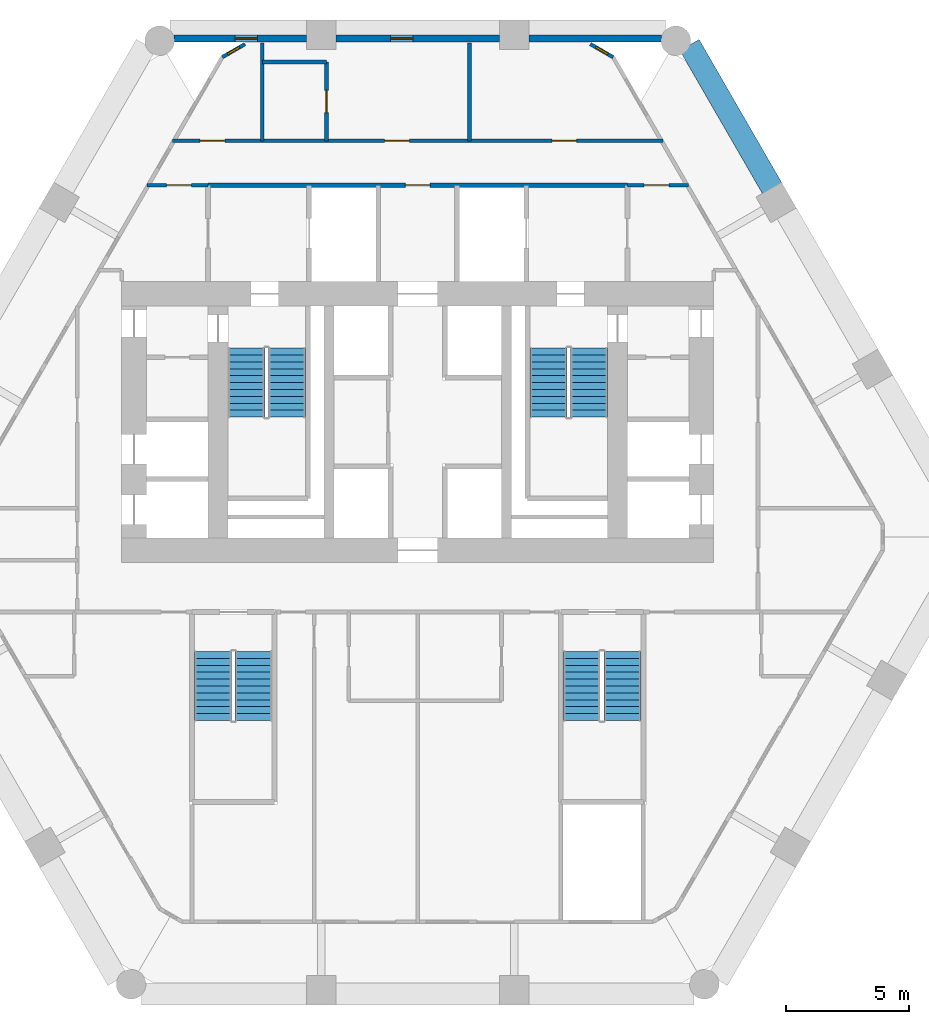
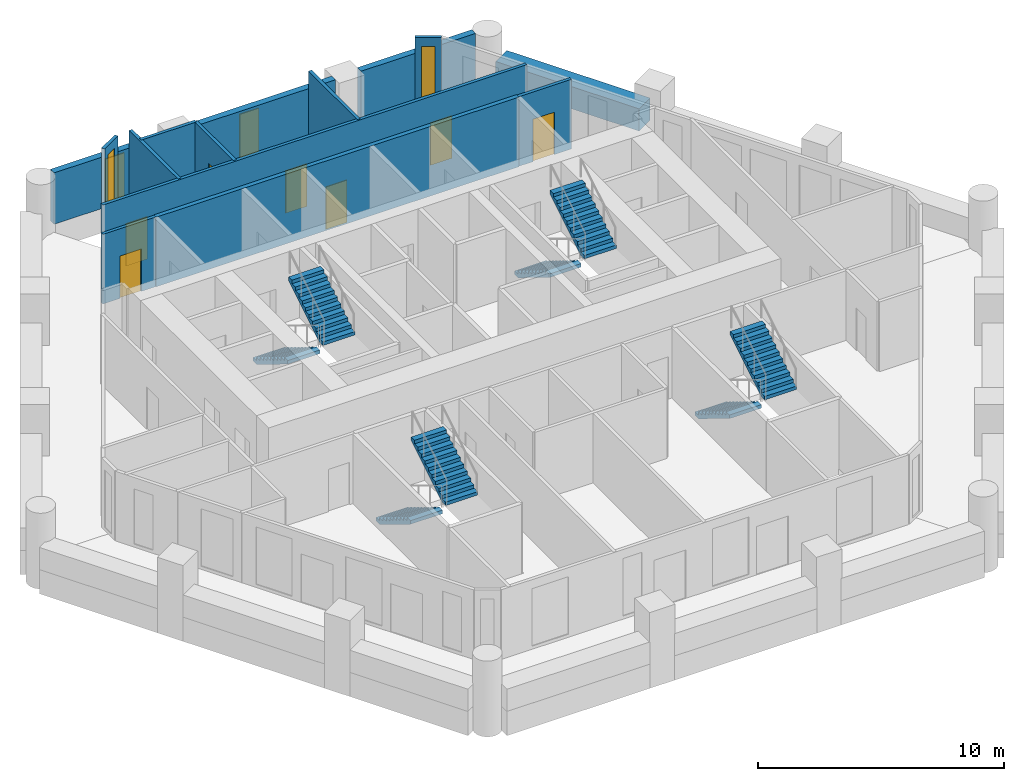
# One storey, part 6 of 7: 14 walls, 8 stair flights, 7 doors, 4 windows, 11 openings, 4 elements without a shape of their own.
"""IFC4 building model written with IfcOpenShell, lengths in metres."""

from ifc_helpers import new_model, si_unit, direction, frame, frame_2d, origin, place, context, subcontext, project, spatial, polyline, rectangle, outline, extrude, material, layer, layer_set, type_object, element, fill, aggregate, save


model = new_model("IFC4")

# Units and contexts
model_context = context("Model", 3, precision=1e-05, world=origin(), true_north=direction((0.0, 1.0)))
body_context = subcontext(model_context, "Body", "Model", "MODEL_VIEW")
ifc_project = project(units=[si_unit("LENGTHUNIT", "METRE"), si_unit("AREAUNIT", "SQUARE_METRE"), si_unit("VOLUMEUNIT", "CUBIC_METRE"), si_unit("PLANEANGLEUNIT", "RADIAN"), si_unit("MASSUNIT", "GRAM", prefix="KILO")], contexts=[model_context])

# Site, building, storey
site_placement = place(None, origin())
site = spatial("IfcSite", under=ifc_project, at=site_placement, CompositionType="ELEMENT")
building_placement = place(site_placement, origin())
building = spatial("IfcBuilding", under=site, at=building_placement, Name="Ostrander Bayou Hotel Tower", CompositionType="ELEMENT")
storey_placement = place(building_placement, frame((0.0, 0.0, 123.5)))
storey = spatial("IfcBuildingStorey", under=building, at=storey_placement, Name="L30", CompositionType="ELEMENT", Elevation=123.5)

# Wall, opening, window
ifc_material_1 = material(Name="Aluminium framed insulated wall", Category="aluminium")
ifc_layer_1 = layer(ifc_material_1, 0.14990234375)
ifc_layer_set_1 = layer_set([ifc_layer_1], Name="GW1 glass-line wall 150 mm")
wall_type_1 = type_object("IfcWallType", Name="GW1 glass-line wall 150 mm", PredefinedType="SOLIDWALL", material=ifc_layer_set_1)
wall_1_placement = place(storey_placement, frame((-7.002685546875, 19.324951171875, 0.0), z_axis=(0.0, 0.0, 1.0), x_axis=(-0.866048165231, -0.499960573946, 0.0)))
wall_1 = element("IfcWall", 1, at=wall_1_placement, inside=storey, type_object=wall_type_1, Name="GW1 L30 corner 1", PredefinedType="SOLIDWALL", context=body_context, shape_type="SweptSolid", body=[
    extrude(rectangle(XDim=1.06494140625, YDim=0.14990234375, at=frame_2d((0.532470703125, 0.0))), origin(), (0.0, 0.0, 1.0), 3.449951171875),
])
opening_1_placement = place(wall_1_placement, frame((0.257568359375, 0.0, 0.14990234375)))
opening_1 = element("IfcOpeningElement", 2, at=opening_1_placement, cuts=wall_1, Name="Opening W19", PredefinedType="OPENING", context=body_context, shape_type="SweptSolid", body=[
    extrude(rectangle(XDim=0.550048828125, YDim=2.85009765625, at=frame_2d((0.27490234375, 1.425048828125))), frame((0.0, 0.074951171875, 0.0), z_axis=(0.0, -1.0, 0.0), x_axis=(1.0, 0.0, 0.0)), (0.0, 0.0, 1.0), 0.14990234375),
])
ifc_material_2 = material(Name="Aluminium and clear glass", Category="aluminium")
window_type_1 = type_object("IfcWindowType", Name="W19 corner window 550 mm", PartitioningType="SINGLE_PANEL", PredefinedType="WINDOW", material=ifc_material_2)
window_1_placement = place(opening_1_placement, origin())
window_1 = element("IfcWindow", 3, at=window_1_placement, inside=storey, type_object=window_type_1, Name="W19 L30 corner 1", OverallHeight=2.85009765625, OverallWidth=0.550048828125, PartitioningType="SINGLE_PANEL", PredefinedType="WINDOW", context=body_context, shape_type="SweptSolid", body=[
    extrude(rectangle(XDim=0.550048828125, YDim=2.85009765625, at=frame_2d((0.27490234375, 1.425048828125))), frame((0.0, 0.030029296875, 0.0), z_axis=(0.0, -1.0, 0.0), x_axis=(1.0, 0.0, 0.0)), (0.0, 0.0, 1.0), 0.06005859375),
])
fill(opening_1, window_1)

wall_2_placement = place(storey_placement, frame((7.925048828125, 18.79248046875, 0.0), z_axis=(0.0, 0.0, 1.0), x_axis=(-0.866048165231, 0.499960573946, 0.0)))
wall_2 = element("IfcWall", 4, at=wall_2_placement, inside=storey, type_object=wall_type_1, Name="GW1 L30 corner 6", PredefinedType="SOLIDWALL", context=body_context, shape_type="SweptSolid", body=[
    extrude(rectangle(XDim=1.06494140625, YDim=0.14990234375, at=frame_2d((0.532470703125, 0.0))), origin(), (0.0, 0.0, 1.0), 3.449951171875),
])
opening_2_placement = place(wall_2_placement, frame((0.257568359375, 0.0, 0.14990234375)))
opening_2 = element("IfcOpeningElement", 5, at=opening_2_placement, cuts=wall_2, Name="Opening W19", PredefinedType="OPENING", context=body_context, shape_type="SweptSolid", body=[
    extrude(rectangle(XDim=0.550048828125, YDim=2.85009765625, at=frame_2d((0.27490234375, 1.425048828125))), frame((0.0, 0.074951171875, 0.0), z_axis=(0.0, -1.0, 0.0), x_axis=(1.0, 0.0, 0.0)), (0.0, 0.0, 1.0), 0.14990234375),
])
window_2_placement = place(opening_2_placement, origin())
window_2 = element("IfcWindow", 6, at=window_2_placement, inside=storey, type_object=window_type_1, Name="W19 L30 corner 6", OverallHeight=2.85009765625, OverallWidth=0.550048828125, PartitioningType="SINGLE_PANEL", PredefinedType="WINDOW", context=body_context, shape_type="SweptSolid", body=[
    extrude(rectangle(XDim=0.550048828125, YDim=2.85009765625, at=frame_2d((0.27490234375, 1.425048828125))), frame((0.0, 0.030029296875, 0.0), z_axis=(0.0, -1.0, 0.0), x_axis=(1.0, 0.0, 0.0)), (0.0, 0.0, 1.0), 0.06005859375),
])
fill(opening_2, window_2)

# Wall
ifc_material_3 = material(Name="Reconstituted stone on masonry backing", Category="masonry")
ifc_layer_2 = layer(ifc_material_3, 0.300048828125)
ifc_layer_set_2 = layer_set([ifc_layer_2], Name="NW1 north stone wall 300 mm")
wall_type_2 = type_object("IfcWallType", Name="NW1 north stone wall 300 mm", PredefinedType="SOLIDWALL", material=ifc_layer_set_2)
wall_3_placement = place(storey_placement, frame((9.875, 19.550048828125, 0.0), z_axis=(0.0, 0.0, 1.0), x_axis=(-1.0, 0.0, 0.0)))
element("IfcWall", 7, at=wall_3_placement, inside=storey, type_object=wall_type_2, Name="NW1 L30 N-1", PredefinedType="SOLIDWALL", context=body_context, shape_type="SweptSolid", body=[
    extrude(rectangle(XDim=5.368408203125, YDim=0.300048828125, at=frame_2d((2.68408203125, 0.0))), origin(), (0.0, 0.0, 1.0), 2.550048828125),
])

# Wall, opening, window
wall_4_placement = place(storey_placement, frame((3.306640625, 19.550048828125, 0.0), z_axis=(0.0, 0.0, 1.0), x_axis=(-1.0, 0.0, 0.0)))
wall_4 = element("IfcWall", 8, at=wall_4_placement, inside=storey, type_object=wall_type_2, Name="NW1 L30 N-2", PredefinedType="SOLIDWALL", context=body_context, shape_type="SweptSolid", body=[
    extrude(rectangle(XDim=6.61328125, YDim=0.300048828125, at=frame_2d((3.306640625, 0.0))), origin(), (0.0, 0.0, 1.0), 2.550048828125),
])
opening_3_placement = place(wall_4_placement, frame((3.506591796875, 0.0, 0.14990234375)))
opening_3 = element("IfcOpeningElement", 9, at=opening_3_placement, cuts=wall_4, Name="Opening W16", PredefinedType="OPENING", context=body_context, shape_type="SweptSolid", body=[
    extrude(rectangle(XDim=0.89990234375, YDim=2.14990234375, at=frame_2d((0.449951171875, 1.074951171875))), frame((0.0, 0.14990234375, 0.0), z_axis=(0.0, -1.0, 0.0), x_axis=(1.0, 0.0, 0.0)), (0.0, 0.0, 1.0), 0.300048828125),
])
ifc_material_4 = material(Name="Aluminium and clear glass", Category="aluminium")
window_type_2 = type_object("IfcWindowType", Name="W16 window 900 mm, zone 2", PartitioningType="SINGLE_PANEL", PredefinedType="WINDOW", material=ifc_material_4)
window_3_placement = place(opening_3_placement, origin())
window_3 = element("IfcWindow", 10, at=window_3_placement, inside=storey, type_object=window_type_2, Name="W16 L30 north N-2", OverallHeight=2.14990234375, OverallWidth=0.89990234375, PartitioningType="SINGLE_PANEL", PredefinedType="WINDOW", context=body_context, shape_type="SweptSolid", body=[
    extrude(rectangle(XDim=0.89990234375, YDim=2.14990234375, at=frame_2d((0.449951171875, 1.074951171875))), frame((0.0, 0.030029296875, 0.0), z_axis=(0.0, -1.0, 0.0), x_axis=(1.0, 0.0, 0.0)), (0.0, 0.0, 1.0), 0.06005859375),
])
fill(opening_3, window_3)

wall_5_placement = place(storey_placement, frame((-4.506591796875, 19.550048828125, 0.0), z_axis=(0.0, 0.0, 1.0), x_axis=(-1.0, 0.0, 0.0)))
wall_5 = element("IfcWall", 11, at=wall_5_placement, inside=storey, type_object=wall_type_2, Name="NW1 L30 N-3", PredefinedType="SOLIDWALL", context=body_context, shape_type="SweptSolid", body=[
    extrude(rectangle(XDim=5.368408203125, YDim=0.300048828125, at=frame_2d((2.68408203125, 0.0))), origin(), (0.0, 0.0, 1.0), 2.550048828125),
])
opening_4_placement = place(wall_5_placement, frame((1.993408203125, 0.0, 0.14990234375)))
opening_4 = element("IfcOpeningElement", 12, at=opening_4_placement, cuts=wall_5, Name="Opening W16", PredefinedType="OPENING", context=body_context, shape_type="SweptSolid", body=[
    extrude(rectangle(XDim=0.89990234375, YDim=2.14990234375, at=frame_2d((0.449951171875, 1.074951171875))), frame((0.0, 0.14990234375, 0.0), z_axis=(0.0, -1.0, 0.0), x_axis=(1.0, 0.0, 0.0)), (0.0, 0.0, 1.0), 0.300048828125),
])
window_4_placement = place(opening_4_placement, origin())
window_4 = element("IfcWindow", 13, at=window_4_placement, inside=storey, type_object=window_type_2, Name="W16 L30 north N-3", OverallHeight=2.14990234375, OverallWidth=0.89990234375, PartitioningType="SINGLE_PANEL", PredefinedType="WINDOW", context=body_context, shape_type="SweptSolid", body=[
    extrude(rectangle(XDim=0.89990234375, YDim=2.14990234375, at=frame_2d((0.449951171875, 1.074951171875))), frame((0.0, 0.030029296875, 0.0), z_axis=(0.0, -1.0, 0.0), x_axis=(1.0, 0.0, 0.0)), (0.0, 0.0, 1.0), 0.06005859375),
])
fill(opening_4, window_4)

# Wall
ifc_material_5 = material(Name="Concrete f'c 40 MPa", Category="concrete")
ifc_layer_3 = layer(ifc_material_5, 0.89990234375)
ifc_layer_set_3 = layer_set([ifc_layer_3], Name="PA1 stone-faced parapet 900 mm")
wall_type_3 = type_object("IfcWallType", Name="PA1 stone-faced parapet 900 mm", PredefinedType="PARAPET", material=ifc_layer_set_3)
wall_6_placement = place(storey_placement, frame((14.3759765625, 13.46923828125, 0.0), z_axis=(0.0, 0.0, 1.0), x_axis=(-0.500012951941, 0.866017925849, 0.0)))
element("IfcWall", 14, at=wall_6_placement, inside=storey, type_object=wall_type_3, Name="PA1 L30 NE-3", PredefinedType="PARAPET", context=body_context, shape_type="SweptSolid", body=[
    extrude(rectangle(XDim=6.717041015625, YDim=0.89990234375, at=frame_2d((3.3583984375, 0.0))), origin(), (0.0, 0.0, 1.0), 1.10009765625),
])

# Wall, opening, door
ifc_material_6 = material(Name="Masonry block", Category="masonry")
ifc_layer_4 = layer(ifc_material_6, 0.199951171875)
ifc_layer_set_4 = layer_set([ifc_layer_4], Name="PT5 stair enclosure wall 200 mm masonry, 2 hour")
wall_type_4 = type_object("IfcWallType", Name="PT5 stair enclosure wall 200 mm masonry, 2 hour", PredefinedType="PARTITIONING", material=ifc_layer_set_4)
wall_7_placement = place(storey_placement, frame((-8.5, 13.60009765625, 0.0), z_axis=(0.0, 0.0, 1.0), x_axis=(1.0, 0.0, 0.0)))
wall_7 = element("IfcWall", 15, at=wall_7_placement, inside=storey, type_object=wall_type_4, Name="cs:L30:025", PredefinedType="PARTITIONING", context=body_context, shape_type="SweptSolid", body=[
    extrude(rectangle(XDim=17.0, YDim=0.199951171875, at=frame_2d((8.5, 0.0))), origin(), (0.0, 0.0, 1.0), 3.449951171875),
])
opening_5_placement = place(wall_7_placement, frame((8.0, 0.0, 0.0)))
opening_5 = element("IfcOpeningElement", 16, at=opening_5_placement, cuts=wall_7, Name="Opening T28-013", PredefinedType="OPENING", context=body_context, shape_type="SweptSolid", body=[
    extrude(rectangle(XDim=1.0, YDim=2.10009765625, at=frame_2d((0.5, 1.050048828125))), frame((0.0, 0.10009765625, 0.0), z_axis=(0.0, -1.0, 0.0), x_axis=(1.0, 0.0, 0.0)), (0.0, 0.0, 1.0), 0.199951171875),
])
ifc_material_7 = material(Name="Timber door leaf", Category="wood")
door_type_1 = type_object("IfcDoorType", Name="D9 service door 1000 x 2100 mm, 30 minute", OperationType="SINGLE_SWING_LEFT", PredefinedType="DOOR", material=ifc_material_7)
door_1_placement = place(opening_5_placement, origin())
door_1 = element("IfcDoor", 17, at=door_1_placement, inside=storey, type_object=door_type_1, Name="dr:L30:013", OperationType="SINGLE_SWING_LEFT", OverallHeight=2.10009765625, OverallWidth=1.0, PredefinedType="DOOR", context=body_context, shape_type="SweptSolid", body=[
    extrude(rectangle(XDim=1.0, YDim=2.10009765625, at=frame_2d((0.5, 1.050048828125))), frame((0.0, 0.02490234375, 0.0), z_axis=(0.0, -1.0, 0.0), x_axis=(1.0, 0.0, 0.0)), (0.0, 0.0, 1.0), 0.050048828125),
])
fill(opening_5, door_1)

ifc_material_8 = material(Name="Gypsum board partition", Category="finish")
ifc_layer_5 = layer(ifc_material_8, 0.14990234375)
ifc_layer_set_5 = layer_set([ifc_layer_5], Name="PT8 service band wall 150 mm, 1 hour")
wall_type_5 = type_object("IfcWallType", Name="PT8 service band wall 150 mm, 1 hour", PredefinedType="PARTITIONING", material=ifc_layer_set_5)
wall_8_placement = place(storey_placement, frame((-10.97509765625, 13.60009765625, 0.0), z_axis=(0.0, 0.0, 1.0), x_axis=(1.0, 0.0, 0.0)))
wall_8 = element("IfcWall", 18, at=wall_8_placement, inside=storey, type_object=wall_type_5, Name="gw:L30:012", PredefinedType="PARTITIONING", context=body_context, shape_type="SweptSolid", body=[
    extrude(rectangle(XDim=2.465087890625, YDim=0.14990234375, at=frame_2d((1.232421875, 0.0))), origin(), (0.0, 0.0, 1.0), 3.449951171875),
])
opening_6_placement = place(wall_8_placement, frame((0.794921875, 0.0, 0.0)))
opening_6 = element("IfcOpeningElement", 19, at=opening_6_placement, cuts=wall_8, Name="Opening T28-418", PredefinedType="OPENING", context=body_context, shape_type="SweptSolid", body=[
    extrude(rectangle(XDim=1.0, YDim=2.10009765625, at=frame_2d((0.5, 1.050048828125))), frame((0.0, 0.074951171875, 0.0), z_axis=(0.0, -1.0, 0.0), x_axis=(1.0, 0.0, 0.0)), (0.0, 0.0, 1.0), 0.14990234375),
])
door_2_placement = place(opening_6_placement, origin())
door_2 = element("IfcDoor", 20, at=door_2_placement, inside=storey, type_object=door_type_1, Name="dr:L30:418", OperationType="SINGLE_SWING_RIGHT", OverallHeight=2.10009765625, OverallWidth=1.0, PredefinedType="DOOR", context=body_context, shape_type="SweptSolid", body=[
    extrude(rectangle(XDim=1.0, YDim=2.10009765625, at=frame_2d((0.5, 1.050048828125))), frame((0.0, 0.02490234375, 0.0), z_axis=(0.0, -1.0, 0.0), x_axis=(1.0, 0.0, 0.0)), (0.0, 0.0, 1.0), 0.050048828125),
])
fill(opening_6, door_2)

wall_9_placement = place(storey_placement, frame((8.510009765625, 13.60009765625, 0.0), z_axis=(0.0, 0.0, 1.0), x_axis=(1.0, 0.0, 0.0)))
wall_9 = element("IfcWall", 21, at=wall_9_placement, inside=storey, type_object=wall_type_5, Name="gw:L30:013", PredefinedType="PARTITIONING", context=body_context, shape_type="SweptSolid", body=[
    extrude(rectangle(XDim=2.465087890625, YDim=0.14990234375, at=frame_2d((1.232421875, 0.0))), origin(), (0.0, 0.0, 1.0), 3.449951171875),
])
opening_7_placement = place(wall_9_placement, frame((0.669921875, 0.0, 0.0)))
opening_7 = element("IfcOpeningElement", 22, at=opening_7_placement, cuts=wall_9, Name="Opening T28-419", PredefinedType="OPENING", context=body_context, shape_type="SweptSolid", body=[
    extrude(rectangle(XDim=1.0, YDim=2.10009765625, at=frame_2d((0.5, 1.050048828125))), frame((0.0, 0.074951171875, 0.0), z_axis=(0.0, -1.0, 0.0), x_axis=(1.0, 0.0, 0.0)), (0.0, 0.0, 1.0), 0.14990234375),
])
door_3_placement = place(opening_7_placement, origin())
door_3 = element("IfcDoor", 23, at=door_3_placement, inside=storey, type_object=door_type_1, Name="dr:L30:419", OperationType="SINGLE_SWING_LEFT", OverallHeight=2.10009765625, OverallWidth=1.0, PredefinedType="DOOR", context=body_context, shape_type="SweptSolid", body=[
    extrude(rectangle(XDim=1.0, YDim=2.10009765625, at=frame_2d((0.5, 1.050048828125))), frame((0.0, 0.02490234375, 0.0), z_axis=(0.0, -1.0, 0.0), x_axis=(1.0, 0.0, 0.0)), (0.0, 0.0, 1.0), 0.050048828125),
])
fill(opening_7, door_3)

# Wall, openings, doors
wall_10_placement = place(storey_placement, frame((-9.93603515625, 15.39990234375, 0.0), z_axis=(0.0, 0.0, 1.0), x_axis=(1.0, 0.0, 0.0)))
wall_10 = element("IfcWall", 24, at=wall_10_placement, inside=storey, type_object=wall_type_5, Name="gw:L30:014", PredefinedType="PARTITIONING", context=body_context, shape_type="SweptSolid", body=[
    extrude(rectangle(XDim=19.8720703125, YDim=0.14990234375, at=frame_2d((9.93603515625, 0.0))), origin(), (0.0, 0.0, 1.0), 3.449951171875),
])
opening_8_placement = place(wall_10_placement, frame((1.117919921875, 0.0, 0.0)))
opening_8 = element("IfcOpeningElement", 25, at=opening_8_placement, cuts=wall_10, Name="Opening T28-414", PredefinedType="OPENING", context=body_context, shape_type="SweptSolid", body=[
    extrude(rectangle(XDim=1.0, YDim=2.10009765625, at=frame_2d((0.5, 1.050048828125))), frame((0.0, 0.074951171875, 0.0), z_axis=(0.0, -1.0, 0.0), x_axis=(1.0, 0.0, 0.0)), (0.0, 0.0, 1.0), 0.14990234375),
])
opening_9_placement = place(wall_10_placement, frame((8.595947265625, 0.0, 0.0)))
opening_9 = element("IfcOpeningElement", 26, at=opening_9_placement, cuts=wall_10, Name="Opening T28-415", PredefinedType="OPENING", context=body_context, shape_type="SweptSolid", body=[
    extrude(rectangle(XDim=1.0, YDim=2.10009765625, at=frame_2d((0.5, 1.050048828125))), frame((0.0, 0.074951171875, 0.0), z_axis=(0.0, -1.0, 0.0), x_axis=(1.0, 0.0, 0.0)), (0.0, 0.0, 1.0), 0.14990234375),
])
opening_10_placement = place(wall_10_placement, frame((15.383056640625, 0.0, 0.0)))
opening_10 = element("IfcOpeningElement", 27, at=opening_10_placement, cuts=wall_10, Name="Opening T28-417", PredefinedType="OPENING", context=body_context, shape_type="SweptSolid", body=[
    extrude(rectangle(XDim=1.0, YDim=2.10009765625, at=frame_2d((0.5, 1.050048828125))), frame((0.0, 0.074951171875, 0.0), z_axis=(0.0, -1.0, 0.0), x_axis=(1.0, 0.0, 0.0)), (0.0, 0.0, 1.0), 0.14990234375),
])
ifc_material_9 = material(Name="Timber door leaf", Category="wood")
door_type_2 = type_object("IfcDoorType", Name="D15 room door 1000 x 2100 mm", OperationType="SINGLE_SWING_LEFT", PredefinedType="DOOR", material=ifc_material_9)
door_4_placement = place(opening_8_placement, origin())
door_4 = element("IfcDoor", 28, at=door_4_placement, inside=storey, type_object=door_type_2, Name="dr:L30:414", OperationType="SINGLE_SWING_LEFT", OverallHeight=2.10009765625, OverallWidth=1.0, PredefinedType="DOOR", context=body_context, shape_type="SweptSolid", body=[
    extrude(rectangle(XDim=1.0, YDim=2.10009765625, at=frame_2d((0.5, 1.050048828125))), frame((0.0, 0.02490234375, 0.0), z_axis=(0.0, -1.0, 0.0), x_axis=(1.0, 0.0, 0.0)), (0.0, 0.0, 1.0), 0.050048828125),
])
fill(opening_8, door_4)
door_5_placement = place(opening_9_placement, origin())
door_5 = element("IfcDoor", 29, at=door_5_placement, inside=storey, type_object=door_type_2, Name="dr:L30:415", OperationType="SINGLE_SWING_RIGHT", OverallHeight=2.10009765625, OverallWidth=1.0, PredefinedType="DOOR", context=body_context, shape_type="SweptSolid", body=[
    extrude(rectangle(XDim=1.0, YDim=2.10009765625, at=frame_2d((0.5, 1.050048828125))), frame((0.0, 0.02490234375, 0.0), z_axis=(0.0, -1.0, 0.0), x_axis=(1.0, 0.0, 0.0)), (0.0, 0.0, 1.0), 0.050048828125),
])
fill(opening_9, door_5)
door_6_placement = place(opening_10_placement, origin())
door_6 = element("IfcDoor", 30, at=door_6_placement, inside=storey, type_object=door_type_1, Name="dr:L30:417", OperationType="SINGLE_SWING_LEFT", OverallHeight=2.10009765625, OverallWidth=1.0, PredefinedType="DOOR", context=body_context, shape_type="SweptSolid", body=[
    extrude(rectangle(XDim=1.0, YDim=2.10009765625, at=frame_2d((0.5, 1.050048828125))), frame((0.0, 0.02490234375, 0.0), z_axis=(0.0, -1.0, 0.0), x_axis=(1.0, 0.0, 0.0)), (0.0, 0.0, 1.0), 0.050048828125),
])
fill(opening_10, door_6)

# Walls
wall_11_placement = place(storey_placement, frame((-6.300048828125, 18.60009765625, 0.0), z_axis=(0.0, 0.0, 1.0), x_axis=(1.0, 0.0, 0.0)))
element("IfcWall", 31, at=wall_11_placement, inside=storey, type_object=wall_type_5, Name="gw:L30:015", PredefinedType="PARTITIONING", context=body_context, shape_type="SweptSolid", body=[
    extrude(rectangle(XDim=2.60009765625, YDim=0.14990234375, at=frame_2d((1.300048828125, 0.0))), origin(), (0.0, 0.0, 1.0), 3.449951171875),
])
wall_12_placement = place(storey_placement, frame((2.10009765625, 15.39990234375, 0.0), z_axis=(0.0, 0.0, 1.0), x_axis=(0.0, 1.0, 0.0)))
element("IfcWall", 32, at=wall_12_placement, inside=storey, type_object=wall_type_5, Name="gw:L30:022", PredefinedType="PARTITIONING", context=body_context, shape_type="SweptSolid", body=[
    extrude(rectangle(XDim=3.97021484375, YDim=0.14990234375, at=frame_2d((1.985107421875, 0.0))), origin(), (0.0, 0.0, 1.0), 3.449951171875),
])

# Wall, opening, door
wall_13_placement = place(storey_placement, frame((-3.699951171875, 15.39990234375, 0.0), z_axis=(0.0, 0.0, 1.0), x_axis=(0.0, 1.0, 0.0)))
wall_13 = element("IfcWall", 33, at=wall_13_placement, inside=storey, type_object=wall_type_5, Name="gw:L30:025", PredefinedType="PARTITIONING", context=body_context, shape_type="SweptSolid", body=[
    extrude(rectangle(XDim=3.2001953125, YDim=0.14990234375, at=frame_2d((1.60009765625, 0.0))), origin(), (0.0, 0.0, 1.0), 3.449951171875),
])
opening_11_placement = place(wall_13_placement, frame((1.14990234375, 0.0, 0.0)))
opening_11 = element("IfcOpeningElement", 34, at=opening_11_placement, cuts=wall_13, Name="Opening T28-416", PredefinedType="OPENING", context=body_context, shape_type="SweptSolid", body=[
    extrude(rectangle(XDim=0.89990234375, YDim=2.10009765625, at=frame_2d((0.449951171875, 1.050048828125))), frame((0.0, 0.074951171875, 0.0), z_axis=(0.0, -1.0, 0.0), x_axis=(1.0, 0.0, 0.0)), (0.0, 0.0, 1.0), 0.14990234375),
])
ifc_material_10 = material(Name="Timber door leaf", Category="wood")
door_type_3 = type_object("IfcDoorType", Name="D8 room door 900 x 2100 mm", OperationType="SINGLE_SWING_LEFT", PredefinedType="DOOR", material=ifc_material_10)
door_7_placement = place(opening_11_placement, origin())
door_7 = element("IfcDoor", 35, at=door_7_placement, inside=storey, type_object=door_type_3, Name="dr:L30:416", OperationType="SINGLE_SWING_LEFT", OverallHeight=2.10009765625, OverallWidth=0.89990234375, PredefinedType="DOOR", context=body_context, shape_type="SweptSolid", body=[
    extrude(rectangle(XDim=0.89990234375, YDim=2.10009765625, at=frame_2d((0.449951171875, 1.050048828125))), frame((0.0, 0.02490234375, 0.0), z_axis=(0.0, -1.0, 0.0), x_axis=(1.0, 0.0, 0.0)), (0.0, 0.0, 1.0), 0.050048828125),
])
fill(opening_11, door_7)

# Wall
wall_14_placement = place(storey_placement, frame((-6.300048828125, 15.39990234375, 0.0), z_axis=(0.0, 0.0, 1.0), x_axis=(0.0, 1.0, 0.0)))
element("IfcWall", 36, at=wall_14_placement, inside=storey, type_object=wall_type_5, Name="gw:L30:027", PredefinedType="PARTITIONING", context=body_context, shape_type="SweptSolid", body=[
    extrude(rectangle(XDim=3.97021484375, YDim=0.14990234375, at=frame_2d((1.985107421875, 0.0))), origin(), (0.0, 0.0, 1.0), 3.449951171875),
])

# Stair, stair flights
ifc_material_11 = material(Name="Concrete f'c 45 MPa", Category="concrete")
stair_type = type_object("IfcStairType", Name="ST1 exit stair 1500 mm f'c 45 MPa", PredefinedType="HALF_TURN_STAIR", material=ifc_material_11)
stair_1_placement = place(storey_placement, origin())
stair_1 = element("IfcStair", 37, at=stair_1_placement, inside=storey, type_object=stair_type, Name="L30 exit stair A", PredefinedType="HALF_TURN_STAIR")
ifc_material_12 = material(Name="Concrete f'c 45 MPa", Category="concrete")
stair_flight_type = type_object("IfcStairFlightType", Name="SF1 stair flight 1500 mm f'c 45 MPa", PredefinedType="STRAIGHT", material=ifc_material_12)
stair_flight_1_placement = place(storey_placement, frame((-6.949951171875, 7.0, 0.0), z_axis=(0.0, 0.0, 1.0), x_axis=(0.0, -1.0, 0.0)))
stair_flight_1 = element("IfcStairFlight", 38, at=stair_flight_1_placement, type_object=stair_flight_type, Name="STA flight 1", NumberOfRisers=11, NumberOfTreads=10, PredefinedType="STRAIGHT", RiserHeight=0.170454545, TreadLength=0.28, context=body_context, shape_type="SweptSolid", body=[
    extrude(outline(polyline([(0.0, 0.0), (0.0, 0.17041015625), (0.280029296875, 0.17041015625), (0.280029296875, 0.3408203125), (0.56005859375, 0.3408203125), (0.56005859375, 0.511474609375), (0.840087890625, 0.511474609375), (0.840087890625, 0.681884765625), (1.1201171875, 0.681884765625), (1.1201171875, 0.852294921875), (1.39990234375, 0.852294921875), (1.39990234375, 1.022705078125), (1.679931640625, 1.022705078125), (1.679931640625, 1.193115234375), (1.9599609375, 1.193115234375), (1.9599609375, 1.363525390625), (2.239990234375, 1.363525390625), (2.239990234375, 1.5341796875), (2.52001953125, 1.5341796875), (2.52001953125, 1.70458984375), (2.800048828125, 1.70458984375), (2.800048828125, 1.875), (2.800048828125, 1.529052734375), (0.288330078125, 0.0), (0.0, 0.0)])), frame((0.0, 0.75, 0.0), z_axis=(0.0, -1.0, 0.0), x_axis=(1.0, 0.0, 0.0)), (0.0, 0.0, 1.0), 1.5),
])
stair_flight_2_placement = place(storey_placement, frame((-5.300048828125, 4.199951171875, 1.875), z_axis=(0.0, 0.0, 1.0), x_axis=(0.0, 1.0, 0.0)))
stair_flight_2 = element("IfcStairFlight", 39, at=stair_flight_2_placement, type_object=stair_flight_type, Name="STA flight 2", NumberOfRisers=11, NumberOfTreads=10, PredefinedType="STRAIGHT", RiserHeight=0.170454545, TreadLength=0.28, context=body_context, shape_type="SweptSolid", body=[
    extrude(outline(polyline([(0.0, 0.0), (0.0, 0.17041015625), (0.280029296875, 0.17041015625), (0.280029296875, 0.3408203125), (0.56005859375, 0.3408203125), (0.56005859375, 0.511474609375), (0.840087890625, 0.511474609375), (0.840087890625, 0.681884765625), (1.1201171875, 0.681884765625), (1.1201171875, 0.852294921875), (1.39990234375, 0.852294921875), (1.39990234375, 1.022705078125), (1.679931640625, 1.022705078125), (1.679931640625, 1.193115234375), (1.9599609375, 1.193115234375), (1.9599609375, 1.363525390625), (2.239990234375, 1.363525390625), (2.239990234375, 1.5341796875), (2.52001953125, 1.5341796875), (2.52001953125, 1.70458984375), (2.800048828125, 1.70458984375), (2.800048828125, 1.875), (2.800048828125, 1.529052734375), (0.288330078125, 0.0), (0.0, 0.0)])), frame((0.0, 0.75, 0.0), z_axis=(0.0, -1.0, 0.0), x_axis=(1.0, 0.0, 0.0)), (0.0, 0.0, 1.0), 1.5),
])
aggregate(stair_1, [stair_flight_1, stair_flight_2])

stair_2_placement = place(storey_placement, origin())
stair_2 = element("IfcStair", 40, at=stair_2_placement, inside=storey, type_object=stair_type, Name="L30 exit stair B", PredefinedType="HALF_TURN_STAIR")
stair_flight_3_placement = place(storey_placement, frame((5.300048828125, 7.0, 0.0), z_axis=(0.0, 0.0, 1.0), x_axis=(0.0, -1.0, 0.0)))
stair_flight_3 = element("IfcStairFlight", 41, at=stair_flight_3_placement, type_object=stair_flight_type, Name="STB flight 1", NumberOfRisers=11, NumberOfTreads=10, PredefinedType="STRAIGHT", RiserHeight=0.170454545, TreadLength=0.28, context=body_context, shape_type="SweptSolid", body=[
    extrude(outline(polyline([(0.0, 0.0), (0.0, 0.17041015625), (0.280029296875, 0.17041015625), (0.280029296875, 0.3408203125), (0.56005859375, 0.3408203125), (0.56005859375, 0.511474609375), (0.840087890625, 0.511474609375), (0.840087890625, 0.681884765625), (1.1201171875, 0.681884765625), (1.1201171875, 0.852294921875), (1.39990234375, 0.852294921875), (1.39990234375, 1.022705078125), (1.679931640625, 1.022705078125), (1.679931640625, 1.193115234375), (1.9599609375, 1.193115234375), (1.9599609375, 1.363525390625), (2.239990234375, 1.363525390625), (2.239990234375, 1.5341796875), (2.52001953125, 1.5341796875), (2.52001953125, 1.70458984375), (2.800048828125, 1.70458984375), (2.800048828125, 1.875), (2.800048828125, 1.529052734375), (0.288330078125, 0.0), (0.0, 0.0)])), frame((0.0, 0.75, 0.0), z_axis=(0.0, -1.0, 0.0), x_axis=(1.0, 0.0, 0.0)), (0.0, 0.0, 1.0), 1.5),
])
stair_flight_4_placement = place(storey_placement, frame((6.949951171875, 4.199951171875, 1.875), z_axis=(0.0, 0.0, 1.0), x_axis=(0.0, 1.0, 0.0)))
stair_flight_4 = element("IfcStairFlight", 42, at=stair_flight_4_placement, type_object=stair_flight_type, Name="STB flight 2", NumberOfRisers=11, NumberOfTreads=10, PredefinedType="STRAIGHT", RiserHeight=0.170454545, TreadLength=0.28, context=body_context, shape_type="SweptSolid", body=[
    extrude(outline(polyline([(0.0, 0.0), (0.0, 0.17041015625), (0.280029296875, 0.17041015625), (0.280029296875, 0.3408203125), (0.56005859375, 0.3408203125), (0.56005859375, 0.511474609375), (0.840087890625, 0.511474609375), (0.840087890625, 0.681884765625), (1.1201171875, 0.681884765625), (1.1201171875, 0.852294921875), (1.39990234375, 0.852294921875), (1.39990234375, 1.022705078125), (1.679931640625, 1.022705078125), (1.679931640625, 1.193115234375), (1.9599609375, 1.193115234375), (1.9599609375, 1.363525390625), (2.239990234375, 1.363525390625), (2.239990234375, 1.5341796875), (2.52001953125, 1.5341796875), (2.52001953125, 1.70458984375), (2.800048828125, 1.70458984375), (2.800048828125, 1.875), (2.800048828125, 1.529052734375), (0.288330078125, 0.0), (0.0, 0.0)])), frame((0.0, 0.75, 0.0), z_axis=(0.0, -1.0, 0.0), x_axis=(1.0, 0.0, 0.0)), (0.0, 0.0, 1.0), 1.5),
])
aggregate(stair_2, [stair_flight_3, stair_flight_4])

stair_3_placement = place(storey_placement, origin())
stair_3 = element("IfcStair", 43, at=stair_3_placement, inside=storey, type_object=stair_type, Name="L30 exit stair C", PredefinedType="HALF_TURN_STAIR")
stair_flight_5_placement = place(storey_placement, frame((6.64990234375, -5.300048828125, 0.0), z_axis=(0.0, 0.0, 1.0), x_axis=(0.0, -1.0, 0.0)))
stair_flight_5 = element("IfcStairFlight", 44, at=stair_flight_5_placement, type_object=stair_flight_type, Name="STC flight 1", NumberOfRisers=11, NumberOfTreads=10, PredefinedType="STRAIGHT", RiserHeight=0.170454545, TreadLength=0.28, context=body_context, shape_type="SweptSolid", body=[
    extrude(outline(polyline([(0.0, 0.0), (0.0, 0.17041015625), (0.280029296875, 0.17041015625), (0.280029296875, 0.3408203125), (0.56005859375, 0.3408203125), (0.56005859375, 0.511474609375), (0.840087890625, 0.511474609375), (0.840087890625, 0.681884765625), (1.1201171875, 0.681884765625), (1.1201171875, 0.852294921875), (1.39990234375, 0.852294921875), (1.39990234375, 1.022705078125), (1.679931640625, 1.022705078125), (1.679931640625, 1.193115234375), (1.9599609375, 1.193115234375), (1.9599609375, 1.363525390625), (2.239990234375, 1.363525390625), (2.239990234375, 1.5341796875), (2.52001953125, 1.5341796875), (2.52001953125, 1.70458984375), (2.800048828125, 1.70458984375), (2.800048828125, 1.875), (2.800048828125, 1.529052734375), (0.288330078125, 0.0), (0.0, 0.0)])), frame((0.0, 0.75, 0.0), z_axis=(0.0, -1.0, 0.0), x_axis=(1.0, 0.0, 0.0)), (0.0, 0.0, 1.0), 1.5),
])
stair_flight_6_placement = place(storey_placement, frame((8.300048828125, -8.10009765625, 1.875), z_axis=(0.0, 0.0, 1.0), x_axis=(0.0, 1.0, 0.0)))
stair_flight_6 = element("IfcStairFlight", 45, at=stair_flight_6_placement, type_object=stair_flight_type, Name="STC flight 2", NumberOfRisers=11, NumberOfTreads=10, PredefinedType="STRAIGHT", RiserHeight=0.170454545, TreadLength=0.28, context=body_context, shape_type="SweptSolid", body=[
    extrude(outline(polyline([(0.0, 0.0), (0.0, 0.17041015625), (0.280029296875, 0.17041015625), (0.280029296875, 0.3408203125), (0.56005859375, 0.3408203125), (0.56005859375, 0.511474609375), (0.840087890625, 0.511474609375), (0.840087890625, 0.681884765625), (1.1201171875, 0.681884765625), (1.1201171875, 0.852294921875), (1.39990234375, 0.852294921875), (1.39990234375, 1.022705078125), (1.679931640625, 1.022705078125), (1.679931640625, 1.193115234375), (1.9599609375, 1.193115234375), (1.9599609375, 1.363525390625), (2.239990234375, 1.363525390625), (2.239990234375, 1.5341796875), (2.52001953125, 1.5341796875), (2.52001953125, 1.70458984375), (2.800048828125, 1.70458984375), (2.800048828125, 1.875), (2.800048828125, 1.529052734375), (0.288330078125, 0.0), (0.0, 0.0)])), frame((0.0, 0.75, 0.0), z_axis=(0.0, -1.0, 0.0), x_axis=(1.0, 0.0, 0.0)), (0.0, 0.0, 1.0), 1.5),
])
aggregate(stair_3, [stair_flight_5, stair_flight_6])

stair_4_placement = place(storey_placement, origin())
stair_4 = element("IfcStair", 46, at=stair_4_placement, inside=storey, type_object=stair_type, Name="L30 exit stair D", PredefinedType="HALF_TURN_STAIR")
stair_flight_7_placement = place(storey_placement, frame((-8.300048828125, -5.300048828125, 0.0), z_axis=(0.0, 0.0, 1.0), x_axis=(0.0, -1.0, 0.0)))
stair_flight_7 = element("IfcStairFlight", 47, at=stair_flight_7_placement, type_object=stair_flight_type, Name="STD flight 1", NumberOfRisers=11, NumberOfTreads=10, PredefinedType="STRAIGHT", RiserHeight=0.170454545, TreadLength=0.28, context=body_context, shape_type="SweptSolid", body=[
    extrude(outline(polyline([(0.0, 0.0), (0.0, 0.17041015625), (0.280029296875, 0.17041015625), (0.280029296875, 0.3408203125), (0.56005859375, 0.3408203125), (0.56005859375, 0.511474609375), (0.840087890625, 0.511474609375), (0.840087890625, 0.681884765625), (1.1201171875, 0.681884765625), (1.1201171875, 0.852294921875), (1.39990234375, 0.852294921875), (1.39990234375, 1.022705078125), (1.679931640625, 1.022705078125), (1.679931640625, 1.193115234375), (1.9599609375, 1.193115234375), (1.9599609375, 1.363525390625), (2.239990234375, 1.363525390625), (2.239990234375, 1.5341796875), (2.52001953125, 1.5341796875), (2.52001953125, 1.70458984375), (2.800048828125, 1.70458984375), (2.800048828125, 1.875), (2.800048828125, 1.529052734375), (0.288330078125, 0.0), (0.0, 0.0)])), frame((0.0, 0.75, 0.0), z_axis=(0.0, -1.0, 0.0), x_axis=(1.0, 0.0, 0.0)), (0.0, 0.0, 1.0), 1.5),
])
stair_flight_8_placement = place(storey_placement, frame((-6.64990234375, -8.10009765625, 1.875), z_axis=(0.0, 0.0, 1.0), x_axis=(0.0, 1.0, 0.0)))
stair_flight_8 = element("IfcStairFlight", 48, at=stair_flight_8_placement, type_object=stair_flight_type, Name="STD flight 2", NumberOfRisers=11, NumberOfTreads=10, PredefinedType="STRAIGHT", RiserHeight=0.170454545, TreadLength=0.28, context=body_context, shape_type="SweptSolid", body=[
    extrude(outline(polyline([(0.0, 0.0), (0.0, 0.17041015625), (0.280029296875, 0.17041015625), (0.280029296875, 0.3408203125), (0.56005859375, 0.3408203125), (0.56005859375, 0.511474609375), (0.840087890625, 0.511474609375), (0.840087890625, 0.681884765625), (1.1201171875, 0.681884765625), (1.1201171875, 0.852294921875), (1.39990234375, 0.852294921875), (1.39990234375, 1.022705078125), (1.679931640625, 1.022705078125), (1.679931640625, 1.193115234375), (1.9599609375, 1.193115234375), (1.9599609375, 1.363525390625), (2.239990234375, 1.363525390625), (2.239990234375, 1.5341796875), (2.52001953125, 1.5341796875), (2.52001953125, 1.70458984375), (2.800048828125, 1.70458984375), (2.800048828125, 1.875), (2.800048828125, 1.529052734375), (0.288330078125, 0.0), (0.0, 0.0)])), frame((0.0, 0.75, 0.0), z_axis=(0.0, -1.0, 0.0), x_axis=(1.0, 0.0, 0.0)), (0.0, 0.0, 1.0), 1.5),
])
aggregate(stair_4, [stair_flight_7, stair_flight_8])

save(model, "model.ifc")
